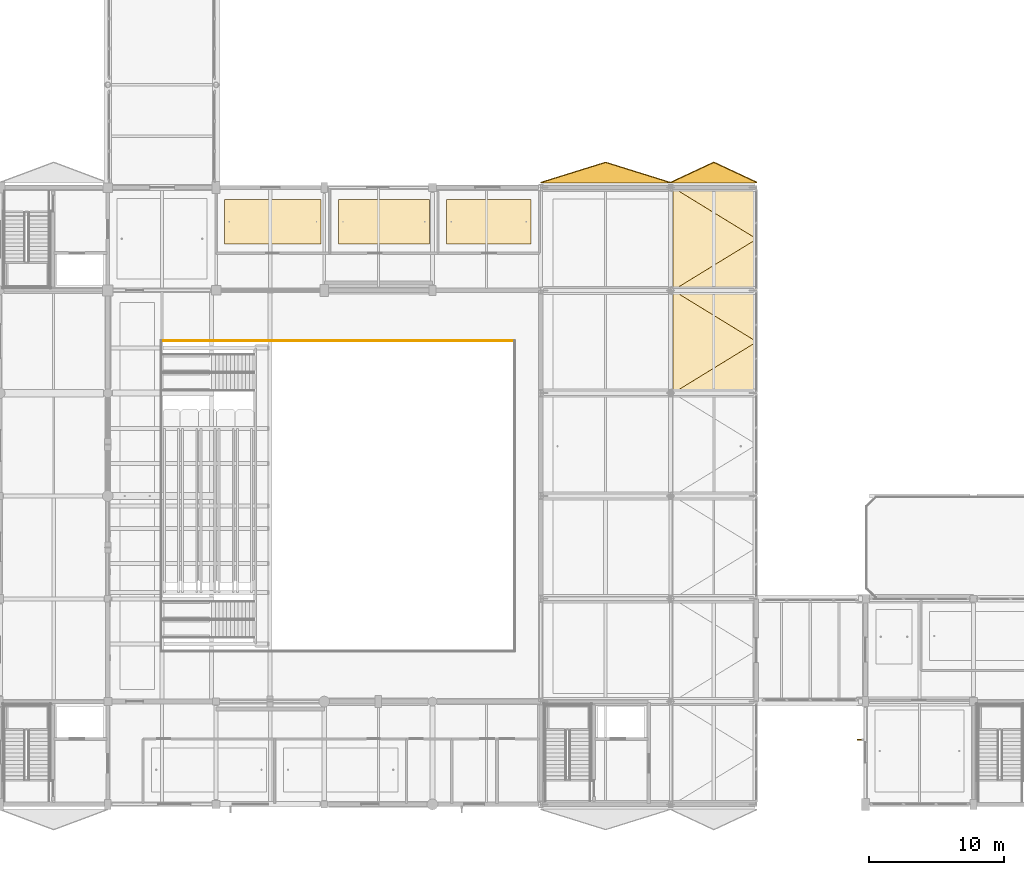
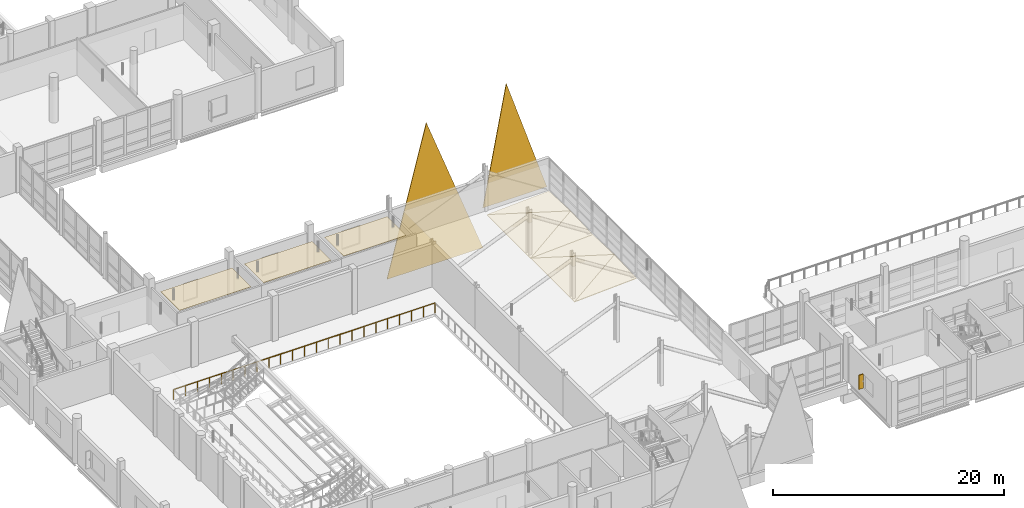
# One storey, part 132 of 147: 11 coverings, 1 railing, 1 shading device.
"""IFC4 building model written with IfcOpenShell, lengths in metres."""

from ifc_helpers import new_model, si_unit, direction, frame, origin, origin_2d, place, context, subcontext, project, spatial, polyline, rectangle, circle, outline, extrude, material, layer, layer_set, type_object, element, save


model = new_model("IFC4")

# Units and contexts
model_context = context("Model", 3, precision=1e-05, world=origin(), true_north=direction((0.0, 1.0)))
body_context = subcontext(model_context, "Body", "Model", "MODEL_VIEW")
ifc_project = project(units=[si_unit("LENGTHUNIT", "METRE"), si_unit("AREAUNIT", "SQUARE_METRE"), si_unit("VOLUMEUNIT", "CUBIC_METRE"), si_unit("PLANEANGLEUNIT", "RADIAN"), si_unit("MASSUNIT", "GRAM", prefix="KILO")], contexts=[model_context])

# Site, building, storey
site_placement = place(None, origin())
site = spatial("IfcSite", under=ifc_project, at=site_placement, CompositionType="ELEMENT")
building_placement = place(site_placement, origin())
building = spatial("IfcBuilding", under=site, at=building_placement, Name="Khelvaren Railside Concert Hall", CompositionType="ELEMENT")
storey_placement = place(building_placement, frame((0.0, 0.0, 5.39990234375)))
storey = spatial("IfcBuildingStorey", under=building, at=storey_placement, Name="L01", CompositionType="ELEMENT", Elevation=5.39990234375)

# Coverings
ifc_material_1 = material(Name="Precast architectural concrete C45/55", Category="concrete")
ifc_layer_1 = layer(ifc_material_1, 0.06005859375)
ifc_layer_set_1 = layer_set([ifc_layer_1], Name="Precast architectural concrete C45/55")
covering_type_1 = type_object("IfcCoveringType", Name="CLD31", PredefinedType="CLADDING", material=ifc_layer_set_1)
covering_1_placement = place(storey_placement, frame((40.0, 45.955078125, -4.199951171875), z_axis=(0.0, -0.99433395337, 0.106301407209), x_axis=(1.0, 0.0, 0.0)))
element("IfcCovering", 1, at=covering_1_placement, inside=storey, type_object=covering_type_1, Name="Main Hall Cut-Crystal Lower Facet N-6", PredefinedType="CLADDING", context=body_context, shape_type="SweptSolid", body=[
    extrude(outline(polyline([(0.0, 0.0), (9.60009765625, 0.0), (4.800048828125, 14.062589443770044), (0.0, 0.0)])), origin(), (0.0, 0.0, -1.0), 0.06005859375),
])
covering_2_placement = place(storey_placement, frame((49.780029296875, 30.39990234375, -0.5498046875), z_axis=(-0.085139625726, 0.0, 0.996369030094), x_axis=(0.0, 1.0, 0.0)))
element("IfcCovering", 2, at=covering_2_placement, inside=storey, type_object=covering_type_1, Name="Main Hall Sheltered Plaza Crystal Soffit 5A", PredefinedType="CLADDING", context=body_context, shape_type="SweptSolid", body=[
    extrude(outline(polyline([(0.0, 0.0), (7.60009765625, 0.0), (3.800048828125, -6.222545045671989), (0.0, 0.0)])), origin(), (0.0, 0.0, -1.0), 0.06005859375),
])
covering_3_placement = place(storey_placement, frame((49.780029296875, 38.0, -0.5498046875), z_axis=(-0.053051143549, 0.052471368931, 0.997212280114), x_axis=(0.998587905984, 0.0, 0.053124326087)))
element("IfcCovering", 3, at=covering_3_placement, inside=storey, type_object=covering_type_1, Name="Main Hall Sheltered Plaza Crystal Soffit 5C", PredefinedType="CLADDING", context=body_context, shape_type="SweptSolid", body=[
    extrude(outline(polyline([(0.0, 0.0), (6.208718466067122, 0.0), (6.219340737323328, -3.805290886991654), (0.0, 0.0)])), origin(), (0.0, 0.0, -1.0), 0.06005859375),
])
covering_4_placement = place(storey_placement, frame((49.780029296875, 38.0, -0.5498046875), z_axis=(-0.053051143549, -0.052471368931, 0.997212280114), x_axis=(0.998587905984, 0.0, 0.053124326087)))
element("IfcCovering", 4, at=covering_4_placement, inside=storey, type_object=covering_type_1, Name="Main Hall Sheltered Plaza Crystal Soffit 6B", PredefinedType="CLADDING", context=body_context, shape_type="SweptSolid", body=[
    extrude(outline(polyline([(0.0, 0.0), (6.208718466067122, 0.0), (6.219340737323328, 3.805290886991654), (0.0, 0.0)])), origin(), (0.0, 0.0, -1.0), 0.06005859375),
])
ifc_material_2 = material(Name="Board-marked precast concrete C45/55", Category="concrete")
ifc_layer_2 = layer(ifc_material_2, 0.070068359375)
ifc_layer_set_2 = layer_set([ifc_layer_2], Name="Board-marked precast concrete C45/55")
covering_type_2 = type_object("IfcCoveringType", Name="CLD68", PredefinedType="CLADDING", material=ifc_layer_set_2)
covering_5_placement = place(storey_placement, frame((49.60009765625, 45.955078125, 0.0), z_axis=(0.0, -0.991097721007, 0.133136424074), x_axis=(1.0, 0.0, 0.0)))
element("IfcCovering", 5, at=covering_5_placement, inside=storey, type_object=covering_type_2, Name="Main Hall Cut-Crystal Lower Facet N-7", PredefinedType="CLADDING", context=body_context, shape_type="SweptSolid", body=[
    extrude(outline(polyline([(0.0, 0.0), (6.39990234375, 0.0), (3.199951171875, 11.228129771927271), (0.0, 0.0)])), origin(), (0.0, 0.0, -1.0), 0.070068359375),
])
covering_6_placement = place(storey_placement, frame((49.780029296875, 30.39990234375, -0.5498046875), z_axis=(-0.053051143549, -0.052471368931, 0.997212280114), x_axis=(0.998587905984, 0.0, 0.053124326087)))
element("IfcCovering", 6, at=covering_6_placement, inside=storey, type_object=covering_type_2, Name="Main Hall Sheltered Plaza Crystal Soffit 5B", PredefinedType="CLADDING", context=body_context, shape_type="SweptSolid", body=[
    extrude(outline(polyline([(0.0, 0.0), (6.208718466067122, 0.0), (6.219340737323328, 3.805290886991654), (0.0, 0.0)])), origin(), (0.0, 0.0, -1.0), 0.070068359375),
])
covering_7_placement = place(storey_placement, frame((49.780029296875, 38.0, -0.5498046875), z_axis=(-0.085139625726, 0.0, 0.996369030094), x_axis=(0.0, 1.0, 0.0)))
element("IfcCovering", 7, at=covering_7_placement, inside=storey, type_object=covering_type_2, Name="Main Hall Sheltered Plaza Crystal Soffit 6A", PredefinedType="CLADDING", context=body_context, shape_type="SweptSolid", body=[
    extrude(outline(polyline([(0.0, 0.0), (7.60009765625, 0.0), (3.800048828125, -6.222545045671989), (0.0, 0.0)])), origin(), (0.0, 0.0, -1.0), 0.070068359375),
])
covering_8_placement = place(storey_placement, frame((49.780029296875, 45.60009765625, -0.5498046875), z_axis=(-0.053051143549, 0.052471368931, 0.997212280114), x_axis=(0.998587905984, 0.0, 0.053124326087)))
element("IfcCovering", 8, at=covering_8_placement, inside=storey, type_object=covering_type_2, Name="Main Hall Sheltered Plaza Crystal Soffit 6C", PredefinedType="CLADDING", context=body_context, shape_type="SweptSolid", body=[
    extrude(outline(polyline([(0.0, 0.0), (6.208718466067122, 0.0), (6.219340737323328, -3.805290886991654), (0.0, 0.0)])), origin(), (0.0, 0.0, -1.0), 0.070068359375),
])
ifc_material_3 = material(Name="Mineral-wool acoustic baffle ceiling", Category="gypsum")
ifc_layer_3 = layer(ifc_material_3, 0.0400390625)
ifc_layer_set_3 = layer_set([ifc_layer_3], Name="Mineral-wool acoustic baffle ceiling")
covering_type_3 = type_object("IfcCoveringType", Name="CLG20", PredefinedType="CEILING", material=ifc_layer_set_3)
covering_9_placement = place(storey_placement, frame((0.0, 0.0, 3.41015625)))
element("IfcCovering", 9, at=covering_9_placement, inside=storey, type_object=covering_type_3, Name="Suspended Acoustic Ceiling Acoustic Broadcast Booth", PredefinedType="CEILING", context=body_context, shape_type="SweptSolid", body=[
    extrude(outline(polyline([(25.037109375, 41.429931640625), (31.783935546875, 41.429931640625), (31.783935546875, 44.719970703125), (25.037109375, 44.719970703125), (25.037109375, 41.429931640625)])), origin(), (0.0, 0.0, 1.0), 0.0400390625),
])
ifc_material_4 = material(Name="Micro-perforated timber acoustic ceiling", Category="wood")
ifc_layer_4 = layer(ifc_material_4, 0.030029296875)
ifc_layer_set_4 = layer_set([ifc_layer_4], Name="Micro-perforated timber acoustic ceiling")
covering_type_4 = type_object("IfcCoveringType", Name="CLG77", PredefinedType="CEILING", material=ifc_layer_set_4)
covering_10_placement = place(storey_placement, frame((0.0, 0.0, 3.420166015625)))
element("IfcCovering", 10, at=covering_10_placement, inside=storey, type_object=covering_type_4, Name="Suspended Acoustic Ceiling Choir Organ Loft Antechamber", PredefinedType="CEILING", context=body_context, shape_type="SweptSolid", body=[
    extrude(outline(polyline([(16.6298828125, 41.429931640625), (23.777099609375, 41.429931640625), (23.777099609375, 44.719970703125), (16.6298828125, 44.719970703125), (16.6298828125, 41.429931640625)])), origin(), (0.0, 0.0, 1.0), 0.030029296875),
])
covering_11_placement = place(storey_placement, frame((0.0, 0.0, 3.420166015625)))
element("IfcCovering", 11, at=covering_11_placement, inside=storey, type_object=covering_type_4, Name="Suspended Acoustic Ceiling VIP Hospitality Pantry", PredefinedType="CEILING", context=body_context, shape_type="SweptSolid", body=[
    extrude(outline(polyline([(33.0439453125, 41.429931640625), (39.2900390625, 41.429931640625), (39.2900390625, 44.719970703125), (33.0439453125, 44.719970703125), (33.0439453125, 41.429931640625)])), origin(), (0.0, 0.0, 1.0), 0.030029296875),
])

# Railing
ifc_material_5 = material(Name="Acoustic bronze and laminated glass guardrail", Category="glass")
railing_type = type_object("IfcRailingType", Name="GRD91", PredefinedType="GUARDRAIL", material=ifc_material_5)
railing_placement = place(storey_placement, frame((38.080078125, 34.280029296875, 0.0)))
element("IfcRailing", 12, at=railing_placement, inside=storey, type_object=railing_type, Name="V1 L01 Acoustic Bowl Edge Guardrail N", PredefinedType="GUARDRAIL", context=body_context, shape_type="SweptSolid", body=[
    extrude(circle(Radius=0.02392578125, at=origin_2d()), frame((0.0, 0.0, 1.076171875), z_axis=(-1.0, 0.0, 0.0), x_axis=(0.0, -1.0, 0.0)), (0.0, 0.0, 1.0), 26.16015625),
    extrude(circle(Radius=0.02099609375, at=origin_2d()), origin(), (0.0, 0.0, 1.0), 1.052001953125),
    extrude(circle(Radius=0.02099609375, at=origin_2d()), frame((-1.189208984375, 0.0, 0.0)), (0.0, 0.0, 1.0), 1.052001953125),
    extrude(circle(Radius=0.02099609375, at=origin_2d()), frame((-2.378173828125, 0.0, 0.0)), (0.0, 0.0, 1.0), 1.052001953125),
    extrude(circle(Radius=0.02099609375, at=origin_2d()), frame((-3.5673828125, 0.0, 0.0)), (0.0, 0.0, 1.0), 1.052001953125),
    extrude(circle(Radius=0.02099609375, at=origin_2d()), frame((-4.75634765625, 0.0, 0.0)), (0.0, 0.0, 1.0), 1.052001953125),
    extrude(circle(Radius=0.02099609375, at=origin_2d()), frame((-5.945556640625, 0.0, 0.0)), (0.0, 0.0, 1.0), 1.052001953125),
    extrude(circle(Radius=0.02099609375, at=origin_2d()), frame((-7.134521484375, 0.0, 0.0)), (0.0, 0.0, 1.0), 1.052001953125),
    extrude(circle(Radius=0.02099609375, at=origin_2d()), frame((-8.32373046875, 0.0, 0.0)), (0.0, 0.0, 1.0), 1.052001953125),
    extrude(circle(Radius=0.02099609375, at=origin_2d()), frame((-9.5126953125, 0.0, 0.0)), (0.0, 0.0, 1.0), 1.052001953125),
    extrude(circle(Radius=0.02099609375, at=origin_2d()), frame((-10.701904296875, 0.0, 0.0)), (0.0, 0.0, 1.0), 1.052001953125),
    extrude(circle(Radius=0.02099609375, at=origin_2d()), frame((-11.890869140625, 0.0, 0.0)), (0.0, 0.0, 1.0), 1.052001953125),
    extrude(circle(Radius=0.02099609375, at=origin_2d()), frame((-13.080078125, 0.0, 0.0)), (0.0, 0.0, 1.0), 1.052001953125),
    extrude(circle(Radius=0.02099609375, at=origin_2d()), frame((-14.269287109375, 0.0, 0.0)), (0.0, 0.0, 1.0), 1.052001953125),
    extrude(circle(Radius=0.02099609375, at=origin_2d()), frame((-15.458251953125, 0.0, 0.0)), (0.0, 0.0, 1.0), 1.052001953125),
    extrude(circle(Radius=0.02099609375, at=origin_2d()), frame((-16.6474609375, 0.0, 0.0)), (0.0, 0.0, 1.0), 1.052001953125),
    extrude(circle(Radius=0.02099609375, at=origin_2d()), frame((-17.83642578125, 0.0, 0.0)), (0.0, 0.0, 1.0), 1.052001953125),
    extrude(circle(Radius=0.02099609375, at=origin_2d()), frame((-19.025634765625, 0.0, 0.0)), (0.0, 0.0, 1.0), 1.052001953125),
    extrude(circle(Radius=0.02099609375, at=origin_2d()), frame((-20.214599609375, 0.0, 0.0)), (0.0, 0.0, 1.0), 1.052001953125),
    extrude(circle(Radius=0.02099609375, at=origin_2d()), frame((-21.40380859375, 0.0, 0.0)), (0.0, 0.0, 1.0), 1.052001953125),
    extrude(circle(Radius=0.02099609375, at=origin_2d()), frame((-22.5927734375, 0.0, 0.0)), (0.0, 0.0, 1.0), 1.052001953125),
    extrude(circle(Radius=0.02099609375, at=origin_2d()), frame((-23.781982421875, 0.0, 0.0)), (0.0, 0.0, 1.0), 1.052001953125),
    extrude(circle(Radius=0.02099609375, at=origin_2d()), frame((-24.970947265625, 0.0, 0.0)), (0.0, 0.0, 1.0), 1.052001953125),
    extrude(circle(Radius=0.02099609375, at=origin_2d()), frame((-26.16015625, 0.0, 0.0)), (0.0, 0.0, 1.0), 1.052001953125),
])

# Shading device
ifc_material_6 = material(Name="Anodised bronze aluminium 6063-T6", Category="aluminium")
shading_device_type = type_object("IfcShadingDeviceType", Name="SFN18", PredefinedType="USERDEFINED", material=ifc_material_6)
shading_device_placement = place(storey_placement, frame((63.635009765625, 4.767578125, 0.9501953125), z_axis=(0.0, 0.0, 1.0), x_axis=(0.0, 1.0, 0.0)))
element("IfcShadingDevice", 13, at=shading_device_placement, inside=storey, type_object=shading_device_type, Name="Bronze Solar Shading Fin EW-V3-L01-W-0", ObjectType="SOLAR FIN", PredefinedType="USERDEFINED", context=body_context, shape_type="SweptSolid", body=[
    extrude(rectangle(XDim=0.080078125, YDim=0.449951171875, at=origin_2d()), origin(), (0.0, 0.0, 1.0), 1.5),
])

save(model, "model.ifc")
